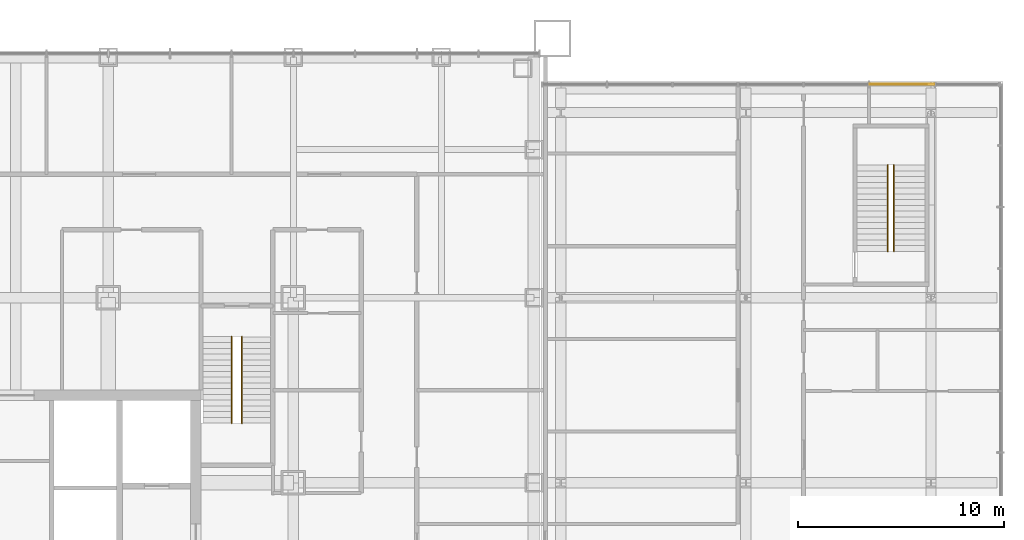
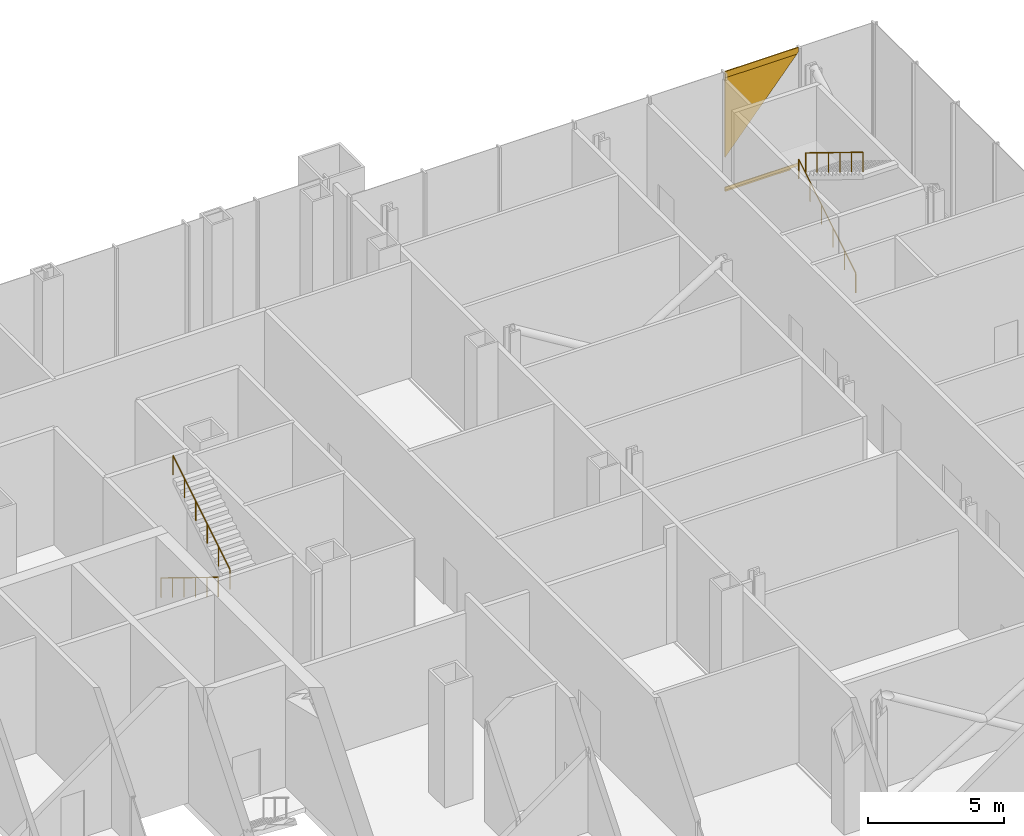
# One storey, part 23 of 25: 4 coverings, 4 railings.
"""IFC4 building model written with IfcOpenShell, lengths in metres."""

import ifcopenshell
import ifcopenshell.guid

model = None  # the IFC model being written
_history = None  # IfcOwnerHistory: only IFC2X3 demands one
_inside = {}  # id of a spatial element -> (the spatial element, [elements in it])
_under = {}  # id of a project, library or spatial element -> (it, [spatial elements below it])
_declared = {}  # id of a project -> (the project, [libraries it declares])
_typed = {}  # id of a type object -> (the type object, [elements of that type])
_made_of = {}  # id of a material, layer set ... -> (it, [elements and type objects made of it])


def new_model(schema):
    """Start an empty IFC model of exactly this schema.

    Asked for "IFC4X3", IfcOpenShell would pick the latest addendum, in which some entities
    have other attributes; the version numbers below select the first issue.
    IFC2X3 requires an IfcOwnerHistory on every rooted entity: one is made here for all.
    """
    global model, _history
    if schema == "IFC4X3":
        model = ifcopenshell.file(schema_version=(4, 3, 0, 0))
    else:
        model = ifcopenshell.file(schema=schema)
    _inside.clear()
    _under.clear()
    _declared.clear()
    _typed.clear()
    _made_of.clear()
    _history = None
    if model.schema == "IFC2X3":
        org = make("IfcOrganization", Name="unknown")
        user = make(
            "IfcPersonAndOrganization",
            ThePerson=make("IfcPerson", FamilyName="unknown"),
            TheOrganization=org,
        )
        app = make(
            "IfcApplication",
            ApplicationDeveloper=org,
            Version="unknown",
            ApplicationFullName="unknown",
            ApplicationIdentifier="unknown",
        )
        _history = make(
            "IfcOwnerHistory",
            OwningUser=user,
            OwningApplication=app,
            ChangeAction="ADDED",
            CreationDate=0,
        )
    return model


def make(cls, **values):
    """One entity of the class cls with the attributes given. An attribute that is None is left unset."""
    return model.create_entity(
        cls, **{name: value for name, value in values.items() if value is not None}
    )


def rooted(cls, **values):
    """An entity with a GlobalId (a new one), such as an element, a storey or a relation."""
    return make(cls, GlobalId=ifcopenshell.guid.new(), OwnerHistory=_history, **values)


def si_unit(unit_type, name, prefix=None):
    """IfcSIUnit, for example si_unit("LENGTHUNIT", "METRE", prefix="MILLI")."""
    return make("IfcSIUnit", UnitType=unit_type, Prefix=prefix, Name=name)


def assignment(units):
    """IfcUnitAssignment: the units of a project."""
    return None if units is None else make("IfcUnitAssignment", Units=units)


def point(xyz):
    """IfcCartesianPoint."""
    return None if xyz is None else make("IfcCartesianPoint", Coordinates=xyz)


def direction(xyz):
    """IfcDirection."""
    return None if xyz is None else make("IfcDirection", DirectionRatios=xyz)


def frame(location, z_axis=None, x_axis=None):
    """IfcAxis2Placement3D, a coordinate frame: its origin and axes. An axis left out is left unset."""
    return make(
        "IfcAxis2Placement3D",
        Location=point(location),
        Axis=direction(z_axis),
        RefDirection=direction(x_axis),
    )


def frame_2d(location, x_axis=None):
    """IfcAxis2Placement2D, a coordinate frame in the plane: its origin and x axis."""
    return make(
        "IfcAxis2Placement2D", Location=point(location), RefDirection=direction(x_axis)
    )


def origin():
    """The frame at (0, 0, 0) with its axes left unset."""
    return frame((0.0, 0.0, 0.0))


def origin_2d():
    """The frame at (0, 0) in the plane with its x axis left unset."""
    return frame_2d((0.0, 0.0))


def place(relative_to, where):
    """IfcLocalPlacement: puts the frame where relative to a parent placement (None: the world)."""
    return make(
        "IfcLocalPlacement", PlacementRelTo=relative_to, RelativePlacement=where
    )


def context(
    kind, dimensions, precision=None, world=None, true_north=None, identifier=None
):
    """IfcGeometricRepresentationContext, for example the 3D "Model" context."""
    return make(
        "IfcGeometricRepresentationContext",
        ContextIdentifier=identifier,
        ContextType=kind,
        CoordinateSpaceDimension=dimensions,
        Precision=precision,
        WorldCoordinateSystem=world,
        TrueNorth=true_north,
    )


def subcontext(parent, identifier, kind, view, scale=None):
    """IfcGeometricRepresentationSubContext, for example "Body" below "Model"."""
    return make(
        "IfcGeometricRepresentationSubContext",
        ContextIdentifier=identifier,
        ContextType=kind,
        ParentContext=parent,
        TargetScale=scale,
        TargetView=view,
    )


def project(units=None, contexts=None):
    """IfcProject with its units and contexts."""
    return rooted(
        "IfcProject",
        Name="project",
        RepresentationContexts=contexts,
        UnitsInContext=assignment(units),
    )


def spatial(cls, under=None, at=None, **own):
    """A site, building, storey or space (cls), placed at a placement, below another one or the project."""
    s = rooted(cls, ObjectPlacement=at, **own)
    if under is not None:
        _under.setdefault(under.id(), (under, []))[1].append(s)
    return s


def polyline(points):
    """IfcPolyline through the points."""
    return make("IfcPolyline", Points=[point(p) for p in points])


def profile(cls, at=None, kind="AREA", **sizes):
    """A parametric profile (cls). Its sizes go by their IFC names, for example OverallWidth=200.0."""
    return make(cls, ProfileType=kind, Position=at, **sizes)


def circle(**sizes):
    """IfcCircleProfileDef."""
    return profile("IfcCircleProfileDef", **sizes)


def outline(outer, holes=None, kind="AREA"):
    """IfcArbitraryClosedProfileDef: a profile drawn as a closed curve; with holes, ...WithVoids."""
    if holes is None:
        return make("IfcArbitraryClosedProfileDef", ProfileType=kind, OuterCurve=outer)
    return make(
        "IfcArbitraryProfileDefWithVoids",
        ProfileType=kind,
        OuterCurve=outer,
        InnerCurves=holes,
    )


def extrude(swept, where, along, depth):
    """IfcExtrudedAreaSolid: the profile swept, set in the frame where, extruded along a direction by depth."""
    return make(
        "IfcExtrudedAreaSolid",
        SweptArea=swept,
        Position=where,
        ExtrudedDirection=direction(along),
        Depth=depth,
    )


def shape(context_of_items, identifier, shape_type, items):
    """IfcShapeRepresentation: the items that make up one representation, for example the "Body"."""
    return make(
        "IfcShapeRepresentation",
        ContextOfItems=context_of_items,
        RepresentationIdentifier=identifier,
        RepresentationType=shape_type,
        Items=items,
    )


def material(Name=None, Category=None):
    """IfcMaterial."""
    return make("IfcMaterial", Name=Name, Category=Category)


def layer(
    of_material, thickness, ventilated=None, Name=None, Category=None, Priority=None
):
    """IfcMaterialLayer: one layer of a wall or slab, of a material (None: an air gap)."""
    return make(
        "IfcMaterialLayer",
        Material=of_material,
        LayerThickness=thickness,
        IsVentilated=ventilated,
        Name=Name,
        Category=Category,
        Priority=Priority,
    )


def layer_set(layers, Name=None):
    """IfcMaterialLayerSet."""
    return make("IfcMaterialLayerSet", MaterialLayers=layers, LayerSetName=Name)


def made_of(thing, what):
    """Note that an element or type object is made of a material, layer set ...; save() writes the relation."""
    if what is not None:
        _made_of.setdefault(what.id(), (what, []))[1].append(thing)
    return thing


def type_object(cls, material=None, **own):
    """A type object (cls), such as IfcWallType, which elements share."""
    return made_of(rooted(cls, **own), material)


def element(
    cls,
    number,
    at=None,
    inside=None,
    cuts=None,
    type_object=None,
    material=None,
    context=None,
    identifier="Body",
    shape_type=None,
    held_by="IfcProductDefinitionShape",
    body=None,
    shapes=None,
    **own,
):
    """One element of the class cls, such as IfcWall. Its Tag is "e" and its number.

    at: its placement. inside: the storey or other place that contains it. cuts: it is an
    opening in that element (IfcRelVoidsElement). A single representation is given by context,
    identifier, shape_type and body (its items); several are given by shapes. held_by: the class
    of the entity that holds the representations. save() writes the other relations.
    """
    e = rooted(cls, Tag="e%d" % number, ObjectPlacement=at, **own)
    if body is not None:
        shapes = [shape(context, identifier, shape_type, body)]
    if shapes is not None:
        e.Representation = make(held_by, Representations=shapes)
    if inside is not None:
        _inside.setdefault(inside.id(), (inside, []))[1].append(e)
    if cuts is not None:
        rooted(
            "IfcRelVoidsElement", RelatingBuildingElement=cuts, RelatedOpeningElement=e
        )
    if type_object is not None:
        _typed.setdefault(type_object.id(), (type_object, []))[1].append(e)
    return made_of(e, material)


def aggregate(whole, parts):
    """IfcRelAggregates: a whole, such as a stair, and the parts it consists of."""
    return rooted("IfcRelAggregates", RelatingObject=whole, RelatedObjects=parts)


def save(model, path):
    """Write the relations noted so far, then the file.

    IfcRelAggregates (storeys below a building ...), IfcRelContainedInSpatialStructure (elements
    in a storey), IfcRelDefinesByType, IfcRelAssociatesMaterial and IfcRelDeclares: one each for
    every whole, place, type object, material and project.
    """
    for whole, parts in _under.values():
        aggregate(whole, parts)
    for where, things in _inside.values():
        rooted(
            "IfcRelContainedInSpatialStructure",
            RelatedElements=things,
            RelatingStructure=where,
        )
    for kind, things in _typed.values():
        rooted("IfcRelDefinesByType", RelatedObjects=things, RelatingType=kind)
    for what, things in _made_of.values():
        rooted("IfcRelAssociatesMaterial", RelatedObjects=things, RelatingMaterial=what)
    for by, libraries in _declared.values():
        rooted("IfcRelDeclares", RelatingContext=by, RelatedDefinitions=libraries)
    model.write(path)


model = new_model("IFC4")

# Units and contexts
model_context = context("Model", 3, precision=1e-05, world=origin(), true_north=direction((0.0, 1.0)))
body_context = subcontext(model_context, "Body", "Model", "MODEL_VIEW")
ifc_project = project(units=[si_unit("LENGTHUNIT", "METRE"), si_unit("AREAUNIT", "SQUARE_METRE"), si_unit("VOLUMEUNIT", "CUBIC_METRE"), si_unit("PLANEANGLEUNIT", "RADIAN"), si_unit("MASSUNIT", "GRAM", prefix="KILO")], contexts=[model_context])

# Site, building, storey
site_placement = place(None, origin())
site = spatial("IfcSite", under=ifc_project, at=site_placement, CompositionType="ELEMENT")
building_placement = place(site_placement, origin())
building = spatial("IfcBuilding", under=site, at=building_placement, Name="Malebo Sky Hospital", CompositionType="ELEMENT")
storey_placement = place(building_placement, frame((0.0, 0.0, 11.0)))
storey = spatial("IfcBuildingStorey", under=building, at=storey_placement, Name="L02", CompositionType="ELEMENT", Elevation=11.0)

# Coverings
ifc_material_1 = material(Name="Anodised aluminium, natural silver insulated infill panel", Category="aluminium")
ifc_layer = layer(ifc_material_1, 0.0400390625)
ifc_layer_set = layer_set([ifc_layer], Name="BRACE INFILL PANEL 40")
covering_type = type_object("IfcCoveringType", Name="BRACE INFILL PANEL 40", PredefinedType="CLADDING", material=ifc_layer_set)
covering_1_placement = place(storey_placement, frame((103.056396484375, 85.875, 1.6396484375), z_axis=(0.0, 0.0, 1.0), x_axis=(-1.0, 0.0, 0.0)))
element("IfcCovering", 1, at=covering_1_placement, inside=storey, type_object=covering_type, Name="Brace infill panel 2.1", PredefinedType="CLADDING", context=body_context, shape_type="SweptSolid", body=[
    extrude(outline(polyline([(1.5224609375, 0.0), (1.5224609375, 3.568603515625), (-1.5224609375, 3.568603515625), (1.5224609375, 0.0)])), frame((0.0, 0.02001953125, 0.0), z_axis=(0.0, -1.0, 0.0), x_axis=(1.0, 0.0, 0.0)), (0.0, 0.0, 1.0), 0.0400390625),
])
covering_2_placement = place(storey_placement, frame((102.92333984375, 85.875, 0.10009765625), z_axis=(0.0, 0.0, 1.0), x_axis=(-1.0, 0.0, 0.0)))
element("IfcCovering", 2, at=covering_2_placement, inside=storey, type_object=covering_type, Name="Brace infill panel 2.3", PredefinedType="CLADDING", context=body_context, shape_type="SweptSolid", body=[
    extrude(outline(polyline([(-1.389404296875, 0.0), (1.389404296875, 0.0), (1.389404296875, 0.067138671875), (-1.389404296875, 0.067138671875), (-1.389404296875, 0.0)])), frame((0.0, 0.02001953125, 0.0), z_axis=(0.0, -1.0, 0.0), x_axis=(1.0, 0.0, 0.0)), (0.0, 0.0, 1.0), 0.0400390625),
])
covering_3_placement = place(storey_placement, frame((103.091064453125, 85.875, 0.167236328125), z_axis=(0.0, 0.0, 1.0), x_axis=(-1.0, 0.0, 0.0)))
element("IfcCovering", 3, at=covering_3_placement, inside=storey, type_object=covering_type, Name="Brace infill panel 2.4", PredefinedType="CLADDING", context=body_context, shape_type="SweptSolid", body=[
    extrude(outline(polyline([(-1.55712890625, 0.0), (1.55712890625, 0.0), (1.55712890625, 0.12451171875), (-1.55712890625, 0.12451171875), (-1.55712890625, 0.0)])), frame((0.0, 0.02001953125, 0.0), z_axis=(0.0, -1.0, 0.0), x_axis=(1.0, 0.0, 0.0)), (0.0, 0.0, 1.0), 0.0400390625),
])
covering_4_placement = place(storey_placement, frame((103.091064453125, 85.875, 5.208251953125), z_axis=(0.0, 0.0, 1.0), x_axis=(-1.0, 0.0, 0.0)))
element("IfcCovering", 4, at=covering_4_placement, inside=storey, type_object=covering_type, Name="Brace infill panel 2.5", PredefinedType="CLADDING", context=body_context, shape_type="SweptSolid", body=[
    extrude(outline(polyline([(-1.48779296875, 0.0), (1.55712890625, 0.0), (1.55712890625, 0.28173828125), (-1.55712890625, 0.28173828125), (-1.55712890625, 0.081298828125), (-1.48779296875, 0.0)])), frame((0.0, 0.02001953125, 0.0), z_axis=(0.0, -1.0, 0.0), x_axis=(1.0, 0.0, 0.0)), (0.0, 0.0, 1.0), 0.0400390625),
])

# Railings
ifc_material_2 = material(Name="Stainless steel tube", Category="steel")
railing_type = type_object("IfcRailingType", Name="STAIR HANDRAIL 900", PredefinedType="HANDRAIL", material=ifc_material_2)
railing_1_placement = place(storey_placement, frame((70.5, 73.60009765625, 0.171875)))
element("IfcRailing", 5, at=railing_1_placement, inside=storey, type_object=railing_type, Name="Stair handrail S3 flight 1", PredefinedType="HANDRAIL", context=body_context, shape_type="SweptSolid", body=[
    extrude(circle(Radius=0.02392578125, at=origin_2d()), frame((0.0, 0.0, 0.8759765625), z_axis=(0.0, -0.852256472501, 0.523124177495), x_axis=(1.0, 0.0, 0.0)), (0.0, 0.0, 1.0), 4.92822265625),
    extrude(circle(Radius=0.02099609375, at=origin_2d()), origin(), (0.0, 0.0, 1.0), 0.851806640625),
    extrude(circle(Radius=0.02099609375, at=origin_2d()), frame((0.0, -0.840087890625, 0.515625)), (0.0, 0.0, 1.0), 0.851806640625),
    extrude(circle(Radius=0.02099609375, at=origin_2d()), frame((0.0, -1.68017578125, 1.03125)), (0.0, 0.0, 1.0), 0.851806640625),
    extrude(circle(Radius=0.02099609375, at=origin_2d()), frame((0.0, -2.52001953125, 1.546875)), (0.0, 0.0, 1.0), 0.851806640625),
    extrude(circle(Radius=0.02099609375, at=origin_2d()), frame((0.0, -3.360107421875, 2.0625)), (0.0, 0.0, 1.0), 0.851806640625),
    extrude(circle(Radius=0.02099609375, at=origin_2d()), frame((0.0, -4.2001953125, 2.578125)), (0.0, 0.0, 1.0), 0.851806640625),
])
railing_2_placement = place(storey_placement, frame((71.0, 69.39990234375, 2.921875)))
element("IfcRailing", 6, at=railing_2_placement, inside=storey, type_object=railing_type, Name="Stair handrail S3 flight 2", PredefinedType="HANDRAIL", context=body_context, shape_type="SweptSolid", body=[
    extrude(circle(Radius=0.02392578125, at=origin_2d()), frame((0.0, 0.0, 0.8759765625), z_axis=(0.0, 0.852256472501, 0.523124177495), x_axis=(-1.0, 0.0, 0.0)), (0.0, 0.0, 1.0), 4.92822265625),
    extrude(circle(Radius=0.02099609375, at=origin_2d()), origin(), (0.0, 0.0, 1.0), 0.851806640625),
    extrude(circle(Radius=0.02099609375, at=origin_2d()), frame((0.0, 0.840087890625, 0.515625)), (0.0, 0.0, 1.0), 0.851806640625),
    extrude(circle(Radius=0.02099609375, at=origin_2d()), frame((0.0, 1.68017578125, 1.03125)), (0.0, 0.0, 1.0), 0.851806640625),
    extrude(circle(Radius=0.02099609375, at=origin_2d()), frame((0.0, 2.52001953125, 1.546875)), (0.0, 0.0, 1.0), 0.851806640625),
    extrude(circle(Radius=0.02099609375, at=origin_2d()), frame((0.0, 3.360107421875, 2.0625)), (0.0, 0.0, 1.0), 0.851806640625),
    extrude(circle(Radius=0.02099609375, at=origin_2d()), frame((0.0, 4.2001953125, 2.578125)), (0.0, 0.0, 1.0), 0.851806640625),
])
railing_3_placement = place(storey_placement, frame((102.39990234375, 77.75, 0.171875)))
element("IfcRailing", 7, at=railing_3_placement, inside=storey, type_object=railing_type, Name="Stair handrail ES flight 1", PredefinedType="HANDRAIL", context=body_context, shape_type="SweptSolid", body=[
    extrude(circle(Radius=0.02392578125, at=origin_2d()), frame((0.0, 0.0, 0.8759765625), z_axis=(0.0, 0.852242915053, 0.523146264196), x_axis=(-1.0, 0.0, 0.0)), (0.0, 0.0, 1.0), 4.92822265625),
    extrude(circle(Radius=0.02099609375, at=origin_2d()), origin(), (0.0, 0.0, 1.0), 0.851806640625),
    extrude(circle(Radius=0.02099609375, at=origin_2d()), frame((0.0, 0.840087890625, 0.515625)), (0.0, 0.0, 1.0), 0.851806640625),
    extrude(circle(Radius=0.02099609375, at=origin_2d()), frame((0.0, 1.679931640625, 1.03125)), (0.0, 0.0, 1.0), 0.851806640625),
    extrude(circle(Radius=0.02099609375, at=origin_2d()), frame((0.0, 2.52001953125, 1.546875)), (0.0, 0.0, 1.0), 0.851806640625),
    extrude(circle(Radius=0.02099609375, at=origin_2d()), frame((0.0, 3.35986328125, 2.0625)), (0.0, 0.0, 1.0), 0.851806640625),
    extrude(circle(Radius=0.02099609375, at=origin_2d()), frame((0.0, 4.199951171875, 2.578125)), (0.0, 0.0, 1.0), 0.851806640625),
])
railing_4_placement = place(storey_placement, frame((102.699951171875, 81.949951171875, 2.921875)))
element("IfcRailing", 8, at=railing_4_placement, inside=storey, type_object=railing_type, Name="Stair handrail ES flight 2", PredefinedType="HANDRAIL", context=body_context, shape_type="SweptSolid", body=[
    extrude(circle(Radius=0.02392578125, at=origin_2d()), frame((0.0, 0.0, 0.8759765625), z_axis=(0.0, -0.852242915053, 0.523146264196), x_axis=(1.0, 0.0, 0.0)), (0.0, 0.0, 1.0), 4.92822265625),
    extrude(circle(Radius=0.02099609375, at=origin_2d()), origin(), (0.0, 0.0, 1.0), 0.851806640625),
    extrude(circle(Radius=0.02099609375, at=origin_2d()), frame((0.0, -0.840087890625, 0.515625)), (0.0, 0.0, 1.0), 0.851806640625),
    extrude(circle(Radius=0.02099609375, at=origin_2d()), frame((0.0, -1.679931640625, 1.03125)), (0.0, 0.0, 1.0), 0.851806640625),
    extrude(circle(Radius=0.02099609375, at=origin_2d()), frame((0.0, -2.52001953125, 1.546875)), (0.0, 0.0, 1.0), 0.851806640625),
    extrude(circle(Radius=0.02099609375, at=origin_2d()), frame((0.0, -3.35986328125, 2.0625)), (0.0, 0.0, 1.0), 0.851806640625),
    extrude(circle(Radius=0.02099609375, at=origin_2d()), frame((0.0, -4.199951171875, 2.578125)), (0.0, 0.0, 1.0), 0.851806640625),
])

save(model, "model.ifc")
